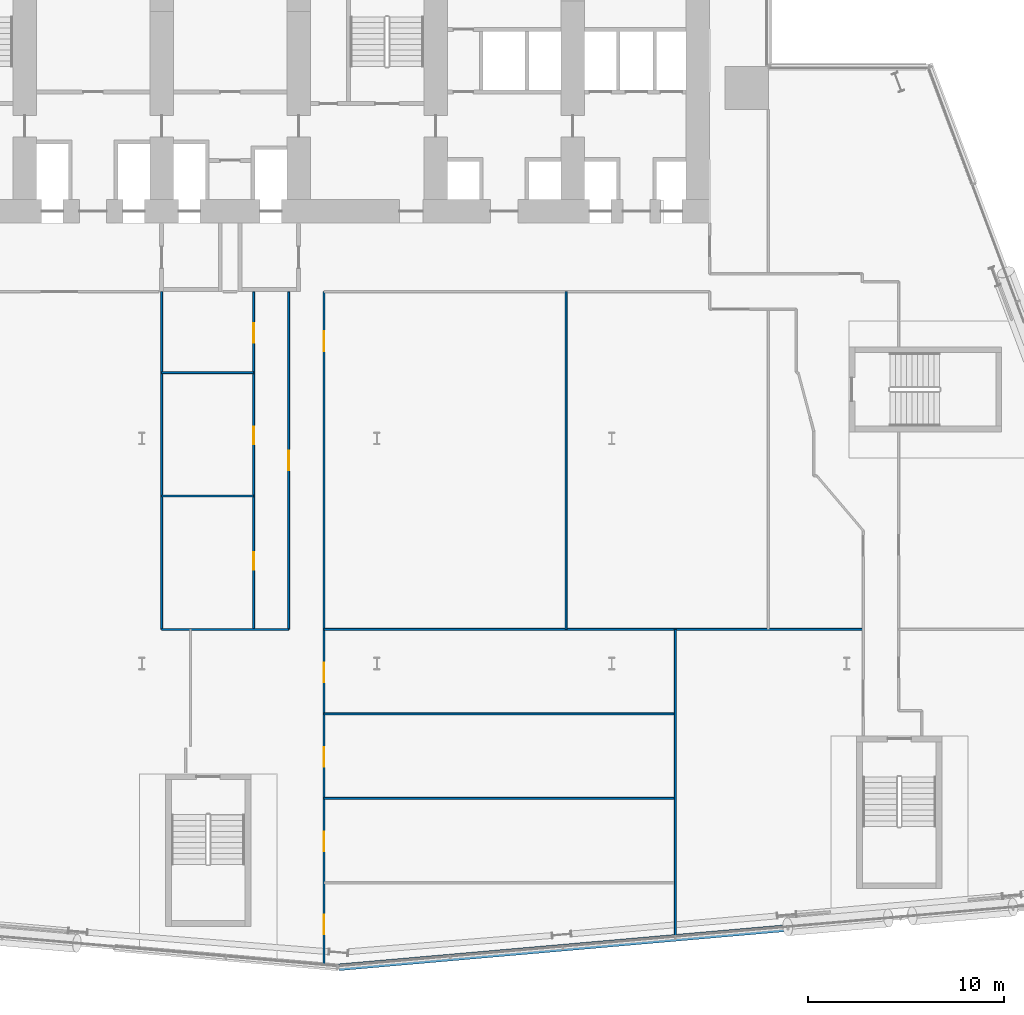
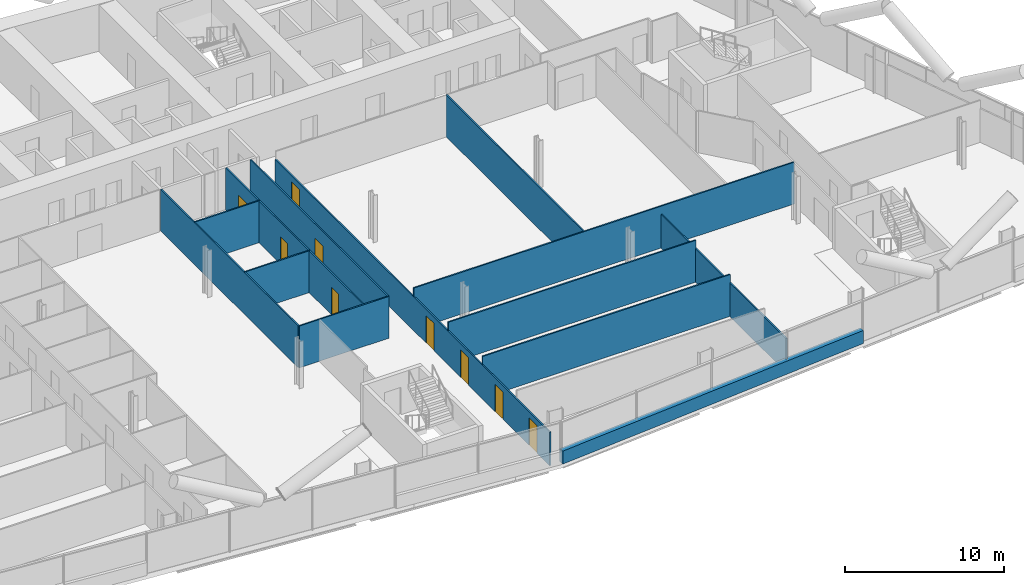
# One storey, part 14 of 27: 13 walls, 9 doors, 9 openings.
"""IFC4 building model written with IfcOpenShell, lengths in metres."""

import ifcopenshell
import ifcopenshell.guid

model = None  # the IFC model being written
_history = None  # IfcOwnerHistory: only IFC2X3 demands one
_inside = {}  # id of a spatial element -> (the spatial element, [elements in it])
_under = {}  # id of a project, library or spatial element -> (it, [spatial elements below it])
_declared = {}  # id of a project -> (the project, [libraries it declares])
_typed = {}  # id of a type object -> (the type object, [elements of that type])
_made_of = {}  # id of a material, layer set ... -> (it, [elements and type objects made of it])


def new_model(schema):
    """Start an empty IFC model of exactly this schema.

    Asked for "IFC4X3", IfcOpenShell would pick the latest addendum, in which some entities
    have other attributes; the version numbers below select the first issue.
    IFC2X3 requires an IfcOwnerHistory on every rooted entity: one is made here for all.
    """
    global model, _history
    if schema == "IFC4X3":
        model = ifcopenshell.file(schema_version=(4, 3, 0, 0))
    else:
        model = ifcopenshell.file(schema=schema)
    _inside.clear()
    _under.clear()
    _declared.clear()
    _typed.clear()
    _made_of.clear()
    _history = None
    if model.schema == "IFC2X3":
        org = make("IfcOrganization", Name="unknown")
        user = make(
            "IfcPersonAndOrganization",
            ThePerson=make("IfcPerson", FamilyName="unknown"),
            TheOrganization=org,
        )
        app = make(
            "IfcApplication",
            ApplicationDeveloper=org,
            Version="unknown",
            ApplicationFullName="unknown",
            ApplicationIdentifier="unknown",
        )
        _history = make(
            "IfcOwnerHistory",
            OwningUser=user,
            OwningApplication=app,
            ChangeAction="ADDED",
            CreationDate=0,
        )
    return model


def make(cls, **values):
    """One entity of the class cls with the attributes given. An attribute that is None is left unset."""
    return model.create_entity(
        cls, **{name: value for name, value in values.items() if value is not None}
    )


def rooted(cls, **values):
    """An entity with a GlobalId (a new one), such as an element, a storey or a relation."""
    return make(cls, GlobalId=ifcopenshell.guid.new(), OwnerHistory=_history, **values)


def si_unit(unit_type, name, prefix=None):
    """IfcSIUnit, for example si_unit("LENGTHUNIT", "METRE", prefix="MILLI")."""
    return make("IfcSIUnit", UnitType=unit_type, Prefix=prefix, Name=name)


def assignment(units):
    """IfcUnitAssignment: the units of a project."""
    return None if units is None else make("IfcUnitAssignment", Units=units)


def point(xyz):
    """IfcCartesianPoint."""
    return None if xyz is None else make("IfcCartesianPoint", Coordinates=xyz)


def direction(xyz):
    """IfcDirection."""
    return None if xyz is None else make("IfcDirection", DirectionRatios=xyz)


def frame(location, z_axis=None, x_axis=None):
    """IfcAxis2Placement3D, a coordinate frame: its origin and axes. An axis left out is left unset."""
    return make(
        "IfcAxis2Placement3D",
        Location=point(location),
        Axis=direction(z_axis),
        RefDirection=direction(x_axis),
    )


def frame_2d(location, x_axis=None):
    """IfcAxis2Placement2D, a coordinate frame in the plane: its origin and x axis."""
    return make(
        "IfcAxis2Placement2D", Location=point(location), RefDirection=direction(x_axis)
    )


def origin():
    """The frame at (0, 0, 0) with its axes left unset."""
    return frame((0.0, 0.0, 0.0))


def place(relative_to, where):
    """IfcLocalPlacement: puts the frame where relative to a parent placement (None: the world)."""
    return make(
        "IfcLocalPlacement", PlacementRelTo=relative_to, RelativePlacement=where
    )


def context(
    kind, dimensions, precision=None, world=None, true_north=None, identifier=None
):
    """IfcGeometricRepresentationContext, for example the 3D "Model" context."""
    return make(
        "IfcGeometricRepresentationContext",
        ContextIdentifier=identifier,
        ContextType=kind,
        CoordinateSpaceDimension=dimensions,
        Precision=precision,
        WorldCoordinateSystem=world,
        TrueNorth=true_north,
    )


def subcontext(parent, identifier, kind, view, scale=None):
    """IfcGeometricRepresentationSubContext, for example "Body" below "Model"."""
    return make(
        "IfcGeometricRepresentationSubContext",
        ContextIdentifier=identifier,
        ContextType=kind,
        ParentContext=parent,
        TargetScale=scale,
        TargetView=view,
    )


def project(units=None, contexts=None):
    """IfcProject with its units and contexts."""
    return rooted(
        "IfcProject",
        Name="project",
        RepresentationContexts=contexts,
        UnitsInContext=assignment(units),
    )


def spatial(cls, under=None, at=None, **own):
    """A site, building, storey or space (cls), placed at a placement, below another one or the project."""
    s = rooted(cls, ObjectPlacement=at, **own)
    if under is not None:
        _under.setdefault(under.id(), (under, []))[1].append(s)
    return s


def profile(cls, at=None, kind="AREA", **sizes):
    """A parametric profile (cls). Its sizes go by their IFC names, for example OverallWidth=200.0."""
    return make(cls, ProfileType=kind, Position=at, **sizes)


def rectangle(**sizes):
    """IfcRectangleProfileDef."""
    return profile("IfcRectangleProfileDef", **sizes)


def extrude(swept, where, along, depth):
    """IfcExtrudedAreaSolid: the profile swept, set in the frame where, extruded along a direction by depth."""
    return make(
        "IfcExtrudedAreaSolid",
        SweptArea=swept,
        Position=where,
        ExtrudedDirection=direction(along),
        Depth=depth,
    )


def shape(context_of_items, identifier, shape_type, items):
    """IfcShapeRepresentation: the items that make up one representation, for example the "Body"."""
    return make(
        "IfcShapeRepresentation",
        ContextOfItems=context_of_items,
        RepresentationIdentifier=identifier,
        RepresentationType=shape_type,
        Items=items,
    )


def material(Name=None, Category=None):
    """IfcMaterial."""
    return make("IfcMaterial", Name=Name, Category=Category)


def layer(
    of_material, thickness, ventilated=None, Name=None, Category=None, Priority=None
):
    """IfcMaterialLayer: one layer of a wall or slab, of a material (None: an air gap)."""
    return make(
        "IfcMaterialLayer",
        Material=of_material,
        LayerThickness=thickness,
        IsVentilated=ventilated,
        Name=Name,
        Category=Category,
        Priority=Priority,
    )


def layer_set(layers, Name=None):
    """IfcMaterialLayerSet."""
    return make("IfcMaterialLayerSet", MaterialLayers=layers, LayerSetName=Name)


def made_of(thing, what):
    """Note that an element or type object is made of a material, layer set ...; save() writes the relation."""
    if what is not None:
        _made_of.setdefault(what.id(), (what, []))[1].append(thing)
    return thing


def type_object(cls, material=None, **own):
    """A type object (cls), such as IfcWallType, which elements share."""
    return made_of(rooted(cls, **own), material)


def element(
    cls,
    number,
    at=None,
    inside=None,
    cuts=None,
    type_object=None,
    material=None,
    context=None,
    identifier="Body",
    shape_type=None,
    held_by="IfcProductDefinitionShape",
    body=None,
    shapes=None,
    **own,
):
    """One element of the class cls, such as IfcWall. Its Tag is "e" and its number.

    at: its placement. inside: the storey or other place that contains it. cuts: it is an
    opening in that element (IfcRelVoidsElement). A single representation is given by context,
    identifier, shape_type and body (its items); several are given by shapes. held_by: the class
    of the entity that holds the representations. save() writes the other relations.
    """
    e = rooted(cls, Tag="e%d" % number, ObjectPlacement=at, **own)
    if body is not None:
        shapes = [shape(context, identifier, shape_type, body)]
    if shapes is not None:
        e.Representation = make(held_by, Representations=shapes)
    if inside is not None:
        _inside.setdefault(inside.id(), (inside, []))[1].append(e)
    if cuts is not None:
        rooted(
            "IfcRelVoidsElement", RelatingBuildingElement=cuts, RelatedOpeningElement=e
        )
    if type_object is not None:
        _typed.setdefault(type_object.id(), (type_object, []))[1].append(e)
    return made_of(e, material)


def fill(opening, filler):
    """IfcRelFillsElement: the door or window that sits in an opening."""
    return rooted(
        "IfcRelFillsElement",
        RelatingOpeningElement=opening,
        RelatedBuildingElement=filler,
    )


def aggregate(whole, parts):
    """IfcRelAggregates: a whole, such as a stair, and the parts it consists of."""
    return rooted("IfcRelAggregates", RelatingObject=whole, RelatedObjects=parts)


def save(model, path):
    """Write the relations noted so far, then the file.

    IfcRelAggregates (storeys below a building ...), IfcRelContainedInSpatialStructure (elements
    in a storey), IfcRelDefinesByType, IfcRelAssociatesMaterial and IfcRelDeclares: one each for
    every whole, place, type object, material and project.
    """
    for whole, parts in _under.values():
        aggregate(whole, parts)
    for where, things in _inside.values():
        rooted(
            "IfcRelContainedInSpatialStructure",
            RelatedElements=things,
            RelatingStructure=where,
        )
    for kind, things in _typed.values():
        rooted("IfcRelDefinesByType", RelatedObjects=things, RelatingType=kind)
    for what, things in _made_of.values():
        rooted("IfcRelAssociatesMaterial", RelatedObjects=things, RelatingMaterial=what)
    for by, libraries in _declared.values():
        rooted("IfcRelDeclares", RelatingContext=by, RelatedDefinitions=libraries)
    model.write(path)


model = new_model("IFC4")

# Units and contexts
model_context = context("Model", 3, precision=1e-05, world=origin(), true_north=direction((0.0, 1.0)))
body_context = subcontext(model_context, "Body", "Model", "MODEL_VIEW")
ifc_project = project(units=[si_unit("LENGTHUNIT", "METRE"), si_unit("AREAUNIT", "SQUARE_METRE"), si_unit("VOLUMEUNIT", "CUBIC_METRE"), si_unit("PLANEANGLEUNIT", "RADIAN"), si_unit("MASSUNIT", "GRAM", prefix="KILO")], contexts=[model_context])

# Site, building, storey
site_placement = place(None, origin())
site = spatial("IfcSite", under=ifc_project, at=site_placement, CompositionType="ELEMENT")
building_placement = place(site_placement, origin())
building = spatial("IfcBuilding", under=site, at=building_placement, Name="Wharfspan Tower", CompositionType="ELEMENT")
storey_placement = place(building_placement, frame((0.0, 0.0, 77.5)))
storey = spatial("IfcBuildingStorey", under=building, at=storey_placement, Name="L16", CompositionType="ELEMENT", Elevation=77.5)

# Walls
ifc_material_1 = material(Name="Gypsum board on steel studs", Category="steel")
ifc_layer_1 = layer(ifc_material_1, 0.100098)
ifc_layer_set_1 = layer_set([ifc_layer_1], Name="Gypsum board on steel studs")
wall_type_1 = type_object("IfcWallType", Name="Compartment wall 100 EI 60", PredefinedType="PARTITIONING", material=ifc_layer_set_1)
wall_1_placement = place(storey_placement, frame((37.0, 13.235107, 0.0), z_axis=(0.0, 0.0, 1.0), x_axis=(1.0, 0.0, 0.0)))
element("IfcWall", 1, at=wall_1_placement, inside=storey, type_object=wall_type_1, Name="Partition L16.w032", PredefinedType="PARTITIONING", context=body_context, shape_type="SweptSolid", body=[
    extrude(rectangle(XDim=6.48999, YDim=0.100098, at=frame_2d((3.245117, 0.0))), origin(), (0.0, 0.0, 1.0), 3.199951),
])
wall_2_placement = place(storey_placement, frame((37.0, 13.23999, 0.0), z_axis=(0.0, 0.0, 1.0), x_axis=(0.0, 1.0, 0.0)))
element("IfcWall", 2, at=wall_2_placement, inside=storey, type_object=wall_type_1, Name="Partition L16.w033", PredefinedType="PARTITIONING", context=body_context, shape_type="SweptSolid", body=[
    extrude(rectangle(XDim=17.26001, YDim=0.100098, at=frame_2d((8.629883, 0.0))), origin(), (0.0, 0.0, 1.0), 3.199951),
])

# Wall, openings, doors
wall_3_placement = place(storey_placement, frame((41.699951, 13.23999, 0.0), z_axis=(0.0, 0.0, 1.0), x_axis=(0.0, 1.0, 0.0)))
wall_3 = element("IfcWall", 3, at=wall_3_placement, inside=storey, type_object=wall_type_1, Name="Partition L16.w038", PredefinedType="PARTITIONING", context=body_context, shape_type="SweptSolid", body=[
    extrude(rectangle(XDim=17.25, YDim=0.100098, at=frame_2d((8.625, 0.0))), origin(), (0.0, 0.0, 1.0), 3.199951),
])
opening_1_placement = place(wall_3_placement, frame((3.045898, 0.0, 0.0)))
opening_1 = element("IfcOpeningElement", 4, at=opening_1_placement, cuts=wall_3, Name="Opening A4-15", PredefinedType="OPENING", context=body_context, shape_type="SweptSolid", body=[
    extrude(rectangle(XDim=0.899902, YDim=2.100098, at=frame_2d((0.449951, 1.050049))), frame((0.0, 0.060059, 0.0), z_axis=(0.0, -1.0, 0.0), x_axis=(1.0, 0.0, 0.0)), (0.0, 0.0, 1.0), 0.120117),
])
opening_2_placement = place(wall_3_placement, frame((9.465088, 0.0, 0.0)))
opening_2 = element("IfcOpeningElement", 5, at=opening_2_placement, cuts=wall_3, Name="Opening A4-22", PredefinedType="OPENING", context=body_context, shape_type="SweptSolid", body=[
    extrude(rectangle(XDim=0.899902, YDim=2.100098, at=frame_2d((0.449951, 1.050049))), frame((0.0, 0.060059, 0.0), z_axis=(0.0, -1.0, 0.0), x_axis=(1.0, 0.0, 0.0)), (0.0, 0.0, 1.0), 0.120117),
])
opening_3_placement = place(wall_3_placement, frame((14.640381, 0.0, 0.0)))
opening_3 = element("IfcOpeningElement", 6, at=opening_3_placement, cuts=wall_3, Name="Opening A4-27", PredefinedType="OPENING", context=body_context, shape_type="SweptSolid", body=[
    extrude(rectangle(XDim=1.0, YDim=2.100098, at=frame_2d((0.5, 1.050049))), frame((0.0, 0.060059, 0.0), z_axis=(0.0, -1.0, 0.0), x_axis=(1.0, 0.0, 0.0)), (0.0, 0.0, 1.0), 0.120117),
])
ifc_material_2 = material(Name="Timber door leaf in steel frame", Category="steel")
door_type_1 = type_object("IfcDoorType", Name="Door 1000 NOT RATED Right", OperationType="SINGLE_SWING_RIGHT", PredefinedType="DOOR", material=ifc_material_2)
door_1_placement = place(opening_3_placement, origin())
door_1 = element("IfcDoor", 7, at=door_1_placement, inside=storey, type_object=door_type_1, Name="Door A4-27", OperationType="SINGLE_SWING_RIGHT", OverallHeight=2.100098, OverallWidth=1.0, PredefinedType="DOOR", context=body_context, shape_type="SweptSolid", body=[
    extrude(rectangle(XDim=1.0, YDim=2.100098, at=frame_2d((0.5, 1.050049))), frame((0.0, 0.024902, 0.0), z_axis=(0.0, -1.0, 0.0), x_axis=(1.0, 0.0, 0.0)), (0.0, 0.0, 1.0), 0.050049),
])
fill(opening_3, door_1)
door_type_2 = type_object("IfcDoorType", Name="Door 900 NOT RATED Left", OperationType="SINGLE_SWING_LEFT", PredefinedType="DOOR", material=ifc_material_2)
door_2_placement = place(opening_1_placement, origin())
door_2 = element("IfcDoor", 8, at=door_2_placement, inside=storey, type_object=door_type_2, Name="Door A4-15", OperationType="SINGLE_SWING_LEFT", OverallHeight=2.100098, OverallWidth=0.899902, PredefinedType="DOOR", context=body_context, shape_type="SweptSolid", body=[
    extrude(rectangle(XDim=0.899902, YDim=2.100098, at=frame_2d((0.449951, 1.050049))), frame((0.0, 0.024902, 0.0), z_axis=(0.0, -1.0, 0.0), x_axis=(1.0, 0.0, 0.0)), (0.0, 0.0, 1.0), 0.050049),
])
fill(opening_1, door_2)
door_type_3 = type_object("IfcDoorType", Name="Door 900 NOT RATED Right", OperationType="SINGLE_SWING_RIGHT", PredefinedType="DOOR", material=ifc_material_2)
door_3_placement = place(opening_2_placement, origin())
door_3 = element("IfcDoor", 9, at=door_3_placement, inside=storey, type_object=door_type_3, Name="Door A4-22", OperationType="SINGLE_SWING_RIGHT", OverallHeight=2.100098, OverallWidth=0.899902, PredefinedType="DOOR", context=body_context, shape_type="SweptSolid", body=[
    extrude(rectangle(XDim=0.899902, YDim=2.100098, at=frame_2d((0.449951, 1.050049))), frame((0.0, 0.024902, 0.0), z_axis=(0.0, -1.0, 0.0), x_axis=(1.0, 0.0, 0.0)), (0.0, 0.0, 1.0), 0.050049),
])
fill(opening_2, door_3)

# Wall, opening, door
wall_4_placement = place(storey_placement, frame((43.48999, 13.23999, 0.0), z_axis=(0.0, 0.0, 1.0), x_axis=(0.0, 1.0, 0.0)))
wall_4 = element("IfcWall", 10, at=wall_4_placement, inside=storey, type_object=wall_type_1, Name="Partition L16.w039", PredefinedType="PARTITIONING", context=body_context, shape_type="SweptSolid", body=[
    extrude(rectangle(XDim=17.25, YDim=0.100098, at=frame_2d((8.625, 0.0))), origin(), (0.0, 0.0, 1.0), 3.199951),
])
opening_4_placement = place(wall_4_placement, frame((8.139404, 0.0, 0.0)))
opening_4 = element("IfcOpeningElement", 11, at=opening_4_placement, cuts=wall_4, Name="Opening A4-21", PredefinedType="OPENING", context=body_context, shape_type="SweptSolid", body=[
    extrude(rectangle(XDim=1.0, YDim=2.100098, at=frame_2d((0.5, 1.050049))), frame((0.0, 0.060059, 0.0), z_axis=(0.0, -1.0, 0.0), x_axis=(1.0, 0.0, 0.0)), (0.0, 0.0, 1.0), 0.120117),
])
ifc_material_3 = material(Name="Fire-rated timber door leaf in steel frame", Category="steel")
door_type_4 = type_object("IfcDoorType", Name="Door 1000 FD30S Right", OperationType="SINGLE_SWING_RIGHT", PredefinedType="DOOR", material=ifc_material_3)
door_4_placement = place(opening_4_placement, origin())
door_4 = element("IfcDoor", 12, at=door_4_placement, inside=storey, type_object=door_type_4, Name="Door A4-21", OperationType="SINGLE_SWING_RIGHT", OverallHeight=2.100098, OverallWidth=1.0, PredefinedType="DOOR", context=body_context, shape_type="SweptSolid", body=[
    extrude(rectangle(XDim=1.0, YDim=2.100098, at=frame_2d((0.5, 1.050049))), frame((0.0, 0.024902, 0.0), z_axis=(0.0, -1.0, 0.0), x_axis=(1.0, 0.0, 0.0)), (0.0, 0.0, 1.0), 0.050049),
])
fill(opening_4, door_4)

# Wall, openings, doors
wall_5_placement = place(storey_placement, frame((45.300049, -3.943115, 0.0), z_axis=(0.0, 0.0, 1.0), x_axis=(0.0, 1.0, 0.0)))
wall_5 = element("IfcWall", 13, at=wall_5_placement, inside=storey, type_object=wall_type_1, Name="Partition L16.w040", PredefinedType="PARTITIONING", context=body_context, shape_type="SweptSolid", body=[
    extrude(rectangle(XDim=34.443115, YDim=0.100098, at=frame_2d((17.22168, 0.0))), origin(), (0.0, 0.0, 1.0), 2.580078),
])
opening_5_placement = place(wall_5_placement, frame((1.598145, 0.0, 0.0)))
opening_5 = element("IfcOpeningElement", 14, at=opening_5_placement, cuts=wall_5, Name="Opening A4-01", PredefinedType="OPENING", context=body_context, shape_type="SweptSolid", body=[
    extrude(rectangle(XDim=1.0, YDim=2.100098, at=frame_2d((0.5, 1.050049))), frame((0.0, 0.060059, 0.0), z_axis=(0.0, -1.0, 0.0), x_axis=(1.0, 0.0, 0.0)), (0.0, 0.0, 1.0), 0.120117),
])
opening_6_placement = place(wall_5_placement, frame((5.853271, 0.0, 0.0)))
opening_6 = element("IfcOpeningElement", 15, at=opening_6_placement, cuts=wall_5, Name="Opening A4-04", PredefinedType="OPENING", context=body_context, shape_type="SweptSolid", body=[
    extrude(rectangle(XDim=1.0, YDim=2.100098, at=frame_2d((0.5, 1.050049))), frame((0.0, 0.060059, 0.0), z_axis=(0.0, -1.0, 0.0), x_axis=(1.0, 0.0, 0.0)), (0.0, 0.0, 1.0), 0.120117),
])
opening_7_placement = place(wall_5_placement, frame((10.173096, 0.0, 0.0)))
opening_7 = element("IfcOpeningElement", 16, at=opening_7_placement, cuts=wall_5, Name="Opening A4-07", PredefinedType="OPENING", context=body_context, shape_type="SweptSolid", body=[
    extrude(rectangle(XDim=1.0, YDim=2.100098, at=frame_2d((0.5, 1.050049))), frame((0.0, 0.060059, 0.0), z_axis=(0.0, -1.0, 0.0), x_axis=(1.0, 0.0, 0.0)), (0.0, 0.0, 1.0), 0.120117),
])
opening_8_placement = place(wall_5_placement, frame((14.488281, 0.0, 0.0)))
opening_8 = element("IfcOpeningElement", 17, at=opening_8_placement, cuts=wall_5, Name="Opening A4-11", PredefinedType="OPENING", context=body_context, shape_type="SweptSolid", body=[
    extrude(rectangle(XDim=1.0, YDim=2.100098, at=frame_2d((0.5, 1.050049))), frame((0.0, 0.060059, 0.0), z_axis=(0.0, -1.0, 0.0), x_axis=(1.0, 0.0, 0.0)), (0.0, 0.0, 1.0), 0.120117),
])
opening_9_placement = place(wall_5_placement, frame((31.40332, 0.0, 0.0)))
opening_9 = element("IfcOpeningElement", 18, at=opening_9_placement, cuts=wall_5, Name="Opening A4-26", PredefinedType="OPENING", context=body_context, shape_type="SweptSolid", body=[
    extrude(rectangle(XDim=1.0, YDim=2.100098, at=frame_2d((0.5, 1.050049))), frame((0.0, 0.060059, 0.0), z_axis=(0.0, -1.0, 0.0), x_axis=(1.0, 0.0, 0.0)), (0.0, 0.0, 1.0), 0.120117),
])
door_type_5 = type_object("IfcDoorType", Name="Door 1000 FD30S Left", OperationType="SINGLE_SWING_LEFT", PredefinedType="DOOR", material=ifc_material_3)
door_5_placement = place(opening_5_placement, origin())
door_5 = element("IfcDoor", 19, at=door_5_placement, inside=storey, type_object=door_type_5, Name="Door A4-01", OperationType="SINGLE_SWING_LEFT", OverallHeight=2.100098, OverallWidth=1.0, PredefinedType="DOOR", context=body_context, shape_type="SweptSolid", body=[
    extrude(rectangle(XDim=1.0, YDim=2.100098, at=frame_2d((0.5, 1.050049))), frame((0.0, 0.024902, 0.0), z_axis=(0.0, -1.0, 0.0), x_axis=(1.0, 0.0, 0.0)), (0.0, 0.0, 1.0), 0.050049),
])
fill(opening_5, door_5)
door_6_placement = place(opening_6_placement, origin())
door_6 = element("IfcDoor", 20, at=door_6_placement, inside=storey, type_object=door_type_5, Name="Door A4-04", OperationType="SINGLE_SWING_LEFT", OverallHeight=2.100098, OverallWidth=1.0, PredefinedType="DOOR", context=body_context, shape_type="SweptSolid", body=[
    extrude(rectangle(XDim=1.0, YDim=2.100098, at=frame_2d((0.5, 1.050049))), frame((0.0, 0.024902, 0.0), z_axis=(0.0, -1.0, 0.0), x_axis=(1.0, 0.0, 0.0)), (0.0, 0.0, 1.0), 0.050049),
])
fill(opening_6, door_6)
door_7_placement = place(opening_7_placement, origin())
door_7 = element("IfcDoor", 21, at=door_7_placement, inside=storey, type_object=door_type_5, Name="Door A4-07", OperationType="SINGLE_SWING_LEFT", OverallHeight=2.100098, OverallWidth=1.0, PredefinedType="DOOR", context=body_context, shape_type="SweptSolid", body=[
    extrude(rectangle(XDim=1.0, YDim=2.100098, at=frame_2d((0.5, 1.050049))), frame((0.0, 0.024902, 0.0), z_axis=(0.0, -1.0, 0.0), x_axis=(1.0, 0.0, 0.0)), (0.0, 0.0, 1.0), 0.050049),
])
fill(opening_7, door_7)
door_8_placement = place(opening_8_placement, origin())
door_8 = element("IfcDoor", 22, at=door_8_placement, inside=storey, type_object=door_type_5, Name="Door A4-11", OperationType="SINGLE_SWING_LEFT", OverallHeight=2.100098, OverallWidth=1.0, PredefinedType="DOOR", context=body_context, shape_type="SweptSolid", body=[
    extrude(rectangle(XDim=1.0, YDim=2.100098, at=frame_2d((0.5, 1.050049))), frame((0.0, 0.024902, 0.0), z_axis=(0.0, -1.0, 0.0), x_axis=(1.0, 0.0, 0.0)), (0.0, 0.0, 1.0), 0.050049),
])
fill(opening_8, door_8)
door_9_placement = place(opening_9_placement, origin())
door_9 = element("IfcDoor", 23, at=door_9_placement, inside=storey, type_object=door_type_4, Name="Door A4-26", OperationType="SINGLE_SWING_RIGHT", OverallHeight=2.100098, OverallWidth=1.0, PredefinedType="DOOR", context=body_context, shape_type="SweptSolid", body=[
    extrude(rectangle(XDim=1.0, YDim=2.100098, at=frame_2d((0.5, 1.050049))), frame((0.0, 0.024902, 0.0), z_axis=(0.0, -1.0, 0.0), x_axis=(1.0, 0.0, 0.0)), (0.0, 0.0, 1.0), 0.050049),
])
fill(opening_9, door_9)

# Walls
for number, where, z_axis, x_axis, name in (
    (24, (45.300049, 4.60498, 0.0), (0.0, 0.0, 1.0), (1.0, 0.0, 0.0), "Partition L16.w042"),
    (25, (45.300049, 8.919922, 0.0), (0.0, 0.0, 1.0), (1.0, 0.0, 0.0), "Partition L16.w043"),
):
    element("IfcWall", number, at=place(storey_placement, frame(where, z_axis=z_axis, x_axis=x_axis)), inside=storey, type_object=wall_type_1, Name=name, PredefinedType="PARTITIONING", context=body_context, shape_type="SweptSolid", body=[
        extrude(rectangle(XDim=17.949951, YDim=0.100098, at=frame_2d((8.975098, 0.0))), origin(), (0.0, 0.0, 1.0), 3.199951),
    ])
wall_6_placement = place(storey_placement, frame((45.300049, 13.23999, 0.0), z_axis=(0.0, 0.0, 1.0), x_axis=(1.0, 0.0, 0.0)))
element("IfcWall", 26, at=wall_6_placement, inside=storey, type_object=wall_type_1, Name="Partition L16.w044", PredefinedType="PARTITIONING", context=body_context, shape_type="SweptSolid", body=[
    extrude(rectangle(XDim=27.560059, YDim=0.100098, at=frame_2d((13.780029, 0.0))), origin(), (0.0, 0.0, 1.0), 3.199951),
])
wall_7_placement = place(storey_placement, frame((57.669922, 13.23999, 0.0), z_axis=(0.0, 0.0, 1.0), x_axis=(0.0, 1.0, 0.0)))
element("IfcWall", 27, at=wall_7_placement, inside=storey, type_object=wall_type_1, Name="Partition L16.w046", PredefinedType="PARTITIONING", context=body_context, shape_type="SweptSolid", body=[
    extrude(rectangle(XDim=17.26001, YDim=0.100098, at=frame_2d((8.629883, 0.0))), origin(), (0.0, 0.0, 1.0), 3.199951),
])
ifc_layer_2 = layer(ifc_material_1, 0.100098)
ifc_layer_set_2 = layer_set([ifc_layer_2], Name="Gypsum board on steel studs")
wall_type_2 = type_object("IfcWallType", Name="Partition 100", PredefinedType="PARTITIONING", material=ifc_layer_set_2)
for number, where, z_axis, x_axis, name in (
    (28, (37.0, 20.054932, 0.0), (0.0, 0.0, 1.0), (1.0, 0.0, 0.0), "Partition L16.w034"),
    (29, (37.0, 26.35498, 0.0), (0.0, 0.0, 1.0), (1.0, 0.0, 0.0), "Partition L16.w035"),
):
    element("IfcWall", number, at=place(storey_placement, frame(where, z_axis=z_axis, x_axis=x_axis)), inside=storey, type_object=wall_type_2, Name=name, PredefinedType="PARTITIONING", context=body_context, shape_type="SweptSolid", body=[
        extrude(rectangle(XDim=4.699951, YDim=0.100098, at=frame_2d((2.350098, 0.0))), origin(), (0.0, 0.0, 1.0), 3.199951),
    ])
wall_8_placement = place(storey_placement, frame((63.25, -2.495117, 0.0), z_axis=(0.0, 0.0, 1.0), x_axis=(0.0, 1.0, 0.0)))
element("IfcWall", 30, at=wall_8_placement, inside=storey, type_object=wall_type_2, Name="Partition L16.w047", PredefinedType="PARTITIONING", context=body_context, shape_type="SweptSolid", body=[
    extrude(rectangle(XDim=15.735107, YDim=0.100098, at=frame_2d((7.867676, 0.0))), origin(), (0.0, 0.0, 1.0), 2.580078),
])
ifc_material_4 = material(Name="Concrete C40/50", Category="concrete")
ifc_layer_3 = layer(ifc_material_4, 0.350098)
ifc_layer_set_3 = layer_set([ifc_layer_3], Name="Concrete C40/50")
wall_type_3 = type_object("IfcWallType", Name="SPANDREL EXPOSED CONCRETE 350", PredefinedType="SOLIDWALL", material=ifc_layer_set_3)
wall_9_placement = place(storey_placement, frame((46.04541, -4.025635, 0.0), z_axis=(0.0, 0.0, 1.0), x_axis=(0.99619, 0.087163, 0.0)))
element("IfcWall", 31, at=wall_9_placement, inside=storey, type_object=wall_type_3, Name="Spandrel upstand L16 S2 1", PredefinedType="SOLIDWALL", context=body_context, shape_type="SweptSolid", body=[
    extrude(rectangle(XDim=23.012695, YDim=0.350098, at=frame_2d((11.506348, 0.0))), origin(), (0.0, 0.0, 1.0), 1.0),
])

save(model, "model.ifc")
